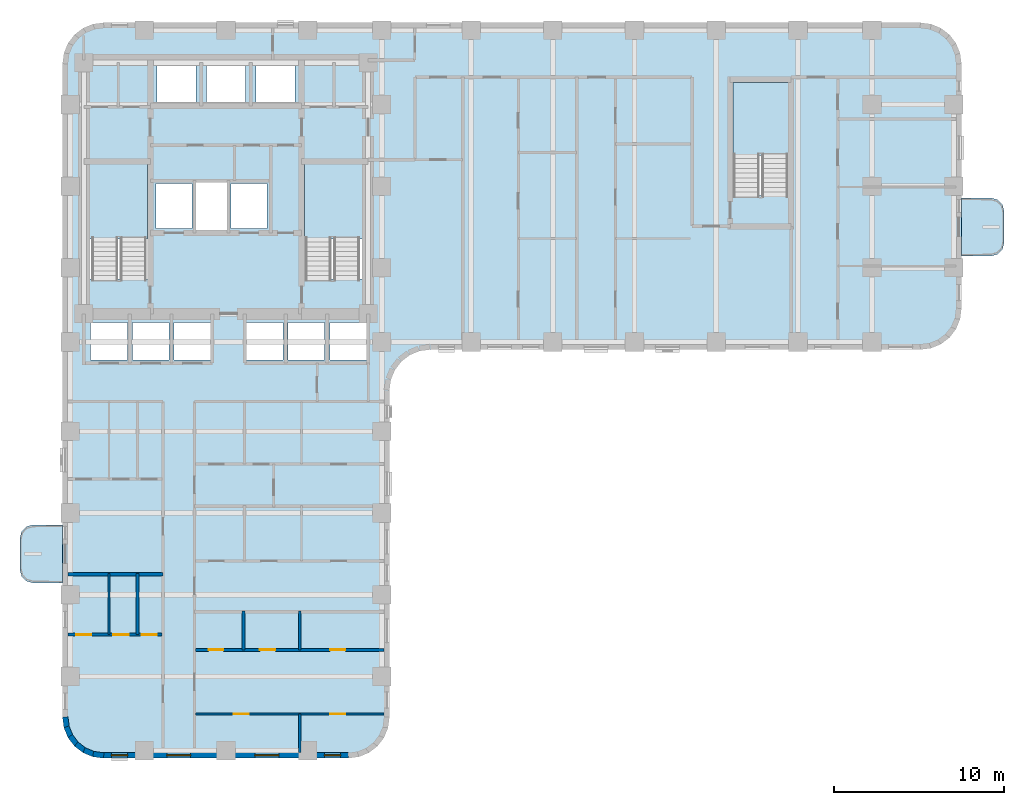
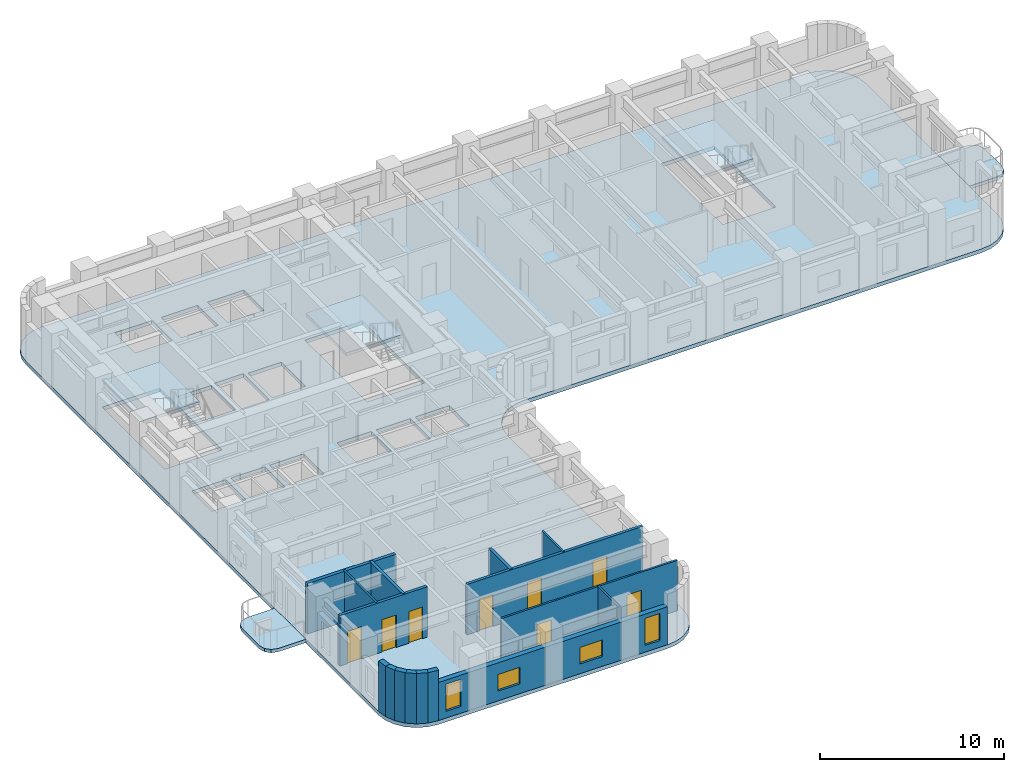
# One storey, part 2 of 11: 16 walls, 8 doors, 6 slabs, 4 windows, 12 openings, 3 elements without a shape of their own.
"""IFC4 building model written with IfcOpenShell, lengths in metres."""

from ifc_helpers import new_model, si_unit, direction, frame, frame_2d, origin, place, context, subcontext, project, spatial, polyline, rectangle, outline, extrude, material, layer, layer_set, type_object, element, fill, aggregate, save


model = new_model("IFC4")

# Units and contexts
model_context = context("Model", 3, precision=1e-05, world=origin(), true_north=direction((0.0, 1.0)))
body_context = subcontext(model_context, "Body", "Model", "MODEL_VIEW")
ifc_project = project(units=[si_unit("LENGTHUNIT", "METRE"), si_unit("AREAUNIT", "SQUARE_METRE"), si_unit("VOLUMEUNIT", "CUBIC_METRE"), si_unit("PLANEANGLEUNIT", "RADIAN"), si_unit("MASSUNIT", "GRAM", prefix="KILO")], contexts=[model_context])

# Site, building, storey
site_placement = place(None, origin())
site = spatial("IfcSite", under=ifc_project, at=site_placement, CompositionType="ELEMENT")
building_placement = place(site_placement, origin())
building = spatial("IfcBuilding", under=site, at=building_placement, Name="Orvandelia Arch Residences", CompositionType="ELEMENT")
storey_placement = place(building_placement, frame((0.0, 0.0, 89.800048828125)))
storey = spatial("IfcBuildingStorey", under=building, at=storey_placement, Name="L23", CompositionType="ELEMENT", Elevation=89.800048828125)

# Slabs
ifc_material_1 = material(Name="Precast concrete C40/50", Category="concrete")
ifc_layer_1 = layer(ifc_material_1, 0.219970703125, Name="Precast concrete C40/50", Category="concrete")
ifc_layer_set_1 = layer_set([ifc_layer_1], Name="Precast concrete C40/50")
slab_type_1 = type_object("IfcSlabType", Name="SLB-BAL-220", PredefinedType="USERDEFINED", material=ifc_layer_set_1)
slab_1_placement = place(storey_placement, frame((0.0, 0.0, -0.219970703125)))
element("IfcSlab", 1, at=slab_1_placement, inside=storey, type_object=slab_type_1, Name="Tree Balcony Cantilever Slab BAL-L23-W1", ObjectType="BALCONY", PredefinedType="USERDEFINED", context=body_context, shape_type="SweptSolid", body=[
    extrude(outline(polyline([(4.800048828125, 15.10009765625), (4.800048828125, 18.5), (3.050048828125, 18.5), (2.675048828125, 18.3994140625), (2.400390625, 18.125), (2.300048828125, 17.75), (2.300048828125, 15.85009765625), (2.400390625, 15.47509765625), (2.675048828125, 15.200439453125), (3.050048828125, 15.10009765625), (4.800048828125, 15.10009765625)])), origin(), (0.0, 0.0, 1.0), 0.219970703125),
])
slab_2_placement = place(storey_placement, frame((0.0, 0.0, -0.219970703125)))
element("IfcSlab", 2, at=slab_2_placement, inside=storey, type_object=slab_type_1, Name="Tree Balcony Cantilever Slab BAL-L23-E1", ObjectType="BALCONY", PredefinedType="USERDEFINED", context=body_context, shape_type="SweptSolid", body=[
    extrude(outline(polyline([(57.60009765625, 37.699951171875), (57.60009765625, 34.300048828125), (59.35009765625, 34.300048828125), (59.72509765625, 34.400390625), (59.99951171875, 34.675048828125), (60.10009765625, 35.050048828125), (60.10009765625, 36.949951171875), (59.99951171875, 37.324951171875), (59.72509765625, 37.599609375), (59.35009765625, 37.699951171875), (57.60009765625, 37.699951171875)])), origin(), (0.0, 0.0, 1.0), 0.219970703125),
])

# Stair, slab
ifc_material_2 = material(Name="Concrete C40/50", Category="concrete")
stair_type = type_object("IfcStairType", Name="STAIR-RC-DOGLEG", PredefinedType="HALF_TURN_STAIR", material=ifc_material_2)
stair_1_placement = place(storey_placement, origin())
stair_1 = element("IfcStair", 3, at=stair_1_placement, inside=storey, type_object=stair_type, Name="L23 Protected Exit Stair ST-1", PredefinedType="HALF_TURN_STAIR")
ifc_layer_2 = layer(ifc_material_2, 0.219970703125, Name="Concrete C40/50", Category="concrete")
ifc_layer_set_2 = layer_set([ifc_layer_2], Name="Concrete C40/50")
slab_type_2 = type_object("IfcSlabType", Name="SLB-LANDING-220", PredefinedType="LANDING", material=ifc_layer_set_2)
slab_3_placement = place(storey_placement, frame((0.0, 0.0, 1.599853515625)))
slab_3 = element("IfcSlab", 4, at=slab_3_placement, type_object=slab_type_2, Name="ST-1 landing 1", PredefinedType="LANDING", context=body_context, shape_type="SweptSolid", body=[
    extrude(outline(polyline([(9.800048828125, 35.31005859375), (9.800048828125, 39.68994140625), (6.260009765625, 39.68994140625), (6.260009765625, 35.31005859375), (9.800048828125, 35.31005859375)])), origin(), (0.0, 0.0, 1.0), 0.2001953125),
])
aggregate(stair_1, [slab_3])

stair_2_placement = place(storey_placement, origin())
stair_2 = element("IfcStair", 5, at=stair_2_placement, inside=storey, type_object=stair_type, Name="L23 Protected Exit Stair ST-2", PredefinedType="HALF_TURN_STAIR")
slab_4_placement = place(storey_placement, frame((0.0, 0.0, 1.599853515625)))
slab_4 = element("IfcSlab", 6, at=slab_4_placement, type_object=slab_type_2, Name="ST-2 landing 1", PredefinedType="LANDING", context=body_context, shape_type="SweptSolid", body=[
    extrude(outline(polyline([(22.5400390625, 35.31005859375), (22.5400390625, 39.68994140625), (19.0, 39.68994140625), (19.0, 35.31005859375), (22.5400390625, 35.31005859375)])), origin(), (0.0, 0.0, 1.0), 0.2001953125),
])
aggregate(stair_2, [slab_4])

stair_3_placement = place(storey_placement, origin())
stair_3 = element("IfcStair", 7, at=stair_3_placement, inside=storey, type_object=stair_type, Name="L23 East Wing Exit Stair ST-3", PredefinedType="HALF_TURN_STAIR")
slab_5_placement = place(storey_placement, frame((0.0, 0.0, 1.599853515625)))
slab_5 = element("IfcSlab", 8, at=slab_5_placement, type_object=slab_type_2, Name="ST-3 landing 1", PredefinedType="LANDING", context=body_context, shape_type="SweptSolid", body=[
    extrude(outline(polyline([(47.43994140625, 40.2099609375), (47.43994140625, 44.5), (44.179931640625, 44.5), (44.179931640625, 40.2099609375), (47.43994140625, 40.2099609375)])), origin(), (0.0, 0.0, 1.0), 0.2001953125),
])
aggregate(stair_3, [slab_5])

# Slab
ifc_layer_3 = layer(ifc_material_2, 0.25, Name="Concrete C40/50", Category="concrete")
ifc_layer_set_3 = layer_set([ifc_layer_3], Name="Concrete C40/50")
slab_type_3 = type_object("IfcSlabType", Name="SLB-TWR-250", PredefinedType="FLOOR", material=ifc_layer_set_3)
slab_6_placement = place(storey_placement, frame((0.0, 0.0, -0.25)))
element("IfcSlab", 9, at=slab_6_placement, inside=storey, type_object=slab_type_3, Name="Structural Floor Slab L23-1", PredefinedType="FLOOR", context=body_context, shape_type="SweptSolid", body=[
    extrude(outline(polyline([(4.800048828125, 7.199951171875), (4.8818359375, 6.578857421875), (5.12158203125, 6.0), (5.5029296875, 5.5029296875), (6.0, 5.12158203125), (6.578857421875, 4.8818359375), (7.199951171875, 4.800048828125), (21.60009765625, 4.800048828125), (22.22119140625, 4.8818359375), (22.800048828125, 5.12158203125), (23.297119140625, 5.5029296875), (23.678466796875, 6.0), (23.918212890625, 6.578857421875), (24.0, 7.199951171875), (24.0, 26.39990234375), (24.081787109375, 27.021240234375), (24.321533203125, 27.60009765625), (24.702880859375, 28.09716796875), (25.199951171875, 28.478515625), (25.77880859375, 28.71826171875), (26.39990234375, 28.800048828125), (55.199951171875, 28.800048828125), (55.8212890625, 28.8818359375), (56.39990234375, 29.12158203125), (56.897216796875, 29.5029296875), (57.278564453125, 30.0), (57.518310546875, 30.578857421875), (57.60009765625, 31.199951171875), (57.60009765625, 45.60009765625), (57.518310546875, 46.22119140625), (57.278564453125, 46.800048828125), (56.897216796875, 47.297119140625), (56.39990234375, 47.678466796875), (55.8212890625, 47.918212890625), (55.199951171875, 48.0), (7.199951171875, 48.0), (6.578857421875, 47.918212890625), (6.0, 47.678466796875), (5.5029296875, 47.297119140625), (5.12158203125, 46.800048828125), (4.8818359375, 46.22119140625), (4.800048828125, 45.60009765625), (4.800048828125, 7.199951171875)]), holes=[polyline([(6.219970703125, 32.949951171875), (9.840087890625, 32.949951171875), (9.840087890625, 39.72998046875), (6.219970703125, 39.72998046875), (6.219970703125, 32.949951171875)]), polyline([(18.9599609375, 32.949951171875), (22.580078125, 32.949951171875), (22.580078125, 39.72998046875), (18.9599609375, 39.72998046875), (18.9599609375, 32.949951171875)]), polyline([(44.139892578125, 37.85009765625), (47.47998046875, 37.85009765625), (47.47998046875, 44.5400390625), (44.139892578125, 44.5400390625), (44.139892578125, 37.85009765625)]), polyline([(12.639892578125, 35.81005859375), (14.4599609375, 35.81005859375), (14.4599609375, 38.639892578125), (12.639892578125, 38.639892578125), (12.639892578125, 35.81005859375)]), polyline([(10.300048828125, 35.89990234375), (12.39990234375, 35.89990234375), (12.39990234375, 38.550048828125), (10.300048828125, 38.550048828125), (10.300048828125, 35.89990234375)]), polyline([(14.699951171875, 35.89990234375), (16.800048828125, 35.89990234375), (16.800048828125, 38.550048828125), (14.699951171875, 38.550048828125), (14.699951171875, 35.89990234375)]), polyline([(10.35009765625, 43.300048828125), (12.64990234375, 43.300048828125), (12.64990234375, 45.5), (10.35009765625, 45.5), (10.35009765625, 43.300048828125)]), polyline([(13.25, 43.300048828125), (15.550048828125, 43.300048828125), (15.550048828125, 45.5), (13.25, 45.5), (13.25, 43.300048828125)]), polyline([(16.14990234375, 43.300048828125), (18.449951171875, 43.300048828125), (18.449951171875, 45.5), (16.14990234375, 45.5), (16.14990234375, 43.300048828125)]), polyline([(6.449951171875, 28.199951171875), (8.60009765625, 28.199951171875), (8.60009765625, 30.39990234375), (6.449951171875, 30.39990234375), (6.449951171875, 28.199951171875)]), polyline([(8.89990234375, 28.199951171875), (11.050048828125, 28.199951171875), (11.050048828125, 30.39990234375), (8.89990234375, 30.39990234375), (8.89990234375, 28.199951171875)]), polyline([(11.35009765625, 28.199951171875), (13.5, 28.199951171875), (13.5, 30.39990234375), (11.35009765625, 30.39990234375), (11.35009765625, 28.199951171875)]), polyline([(15.60009765625, 28.199951171875), (17.75, 28.199951171875), (17.75, 30.39990234375), (15.60009765625, 30.39990234375), (15.60009765625, 28.199951171875)]), polyline([(18.050048828125, 28.199951171875), (20.199951171875, 28.199951171875), (20.199951171875, 30.39990234375), (18.050048828125, 30.39990234375), (18.050048828125, 28.199951171875)]), polyline([(20.5, 28.199951171875), (22.64990234375, 28.199951171875), (22.64990234375, 30.39990234375), (20.5, 30.39990234375), (20.5, 28.199951171875)])]), origin(), (0.0, 0.0, 1.0), 0.25),
])

# Wall
ifc_layer_4 = layer(ifc_material_2, 0.199951171875, Name="Concrete C40/50", Category="concrete")
ifc_layer_set_4 = layer_set([ifc_layer_4], Name="Concrete C40/50")
wall_type_1 = type_object("IfcWallType", Name="WL-DEM-200", PredefinedType="SOLIDWALL", material=ifc_layer_set_4)
wall_1_placement = place(storey_placement, frame((5.1201171875, 15.60009765625, 0.0), z_axis=(0.0, 0.0, 1.0), x_axis=(1.0, 0.0, 0.0)))
element("IfcWall", 10, at=wall_1_placement, inside=storey, type_object=wall_type_1, Name="Interior Partition Wall WL-L23-DEM-WL-156", PredefinedType="SOLIDWALL", context=body_context, shape_type="SweptSolid", body=[
    extrude(rectangle(XDim=5.579833984375, YDim=0.199951171875, at=frame_2d((2.7900390625, 0.0))), origin(), (0.0, 0.0, 1.0), 3.349853515625),
])

# Wall, openings, windows
ifc_layer_5 = layer(ifc_material_1, 0.320068359375, Name="Precast concrete C40/50", Category="concrete")
ifc_layer_set_5 = layer_set([ifc_layer_5], Name="Precast concrete C40/50")
wall_type_2 = type_object("IfcWallType", Name="WL-EXT-STONE-320", PredefinedType="STANDARD", material=ifc_layer_set_5)
wall_2_placement = place(storey_placement, frame((21.60009765625, 4.9599609375, 0.0), z_axis=(0.0, 0.0, 1.0), x_axis=(-1.0, 0.0, 0.0)))
wall_2 = element("IfcWall", 11, at=wall_2_placement, inside=storey, type_object=wall_type_2, Name="Coral-Limestone Precast Facade Wall L23-035", PredefinedType="STANDARD", context=body_context, shape_type="SweptSolid", body=[
    extrude(rectangle(XDim=14.400146484375, YDim=0.320068359375, at=frame_2d((7.2001953125, 0.0))), origin(), (0.0, 0.0, 1.0), 2.530029296875),
])
opening_1_placement = place(wall_2_placement, frame((0.469970703125, 0.0, 0.449951171875)))
opening_1 = element("IfcOpeningElement", 12, at=opening_1_placement, cuts=wall_2, Name="Opening W4", PredefinedType="OPENING", context=body_context, shape_type="SweptSolid", body=[
    extrude(rectangle(XDim=0.949951171875, YDim=1.800048828125, at=frame_2d((0.47509765625, 0.89990234375))), frame((0.0, 0.169921875, 0.0), z_axis=(0.0, -1.0, 0.0), x_axis=(1.0, 0.0, 0.0)), (0.0, 0.0, 1.0), 0.340087890625),
])
opening_2_placement = place(wall_2_placement, frame((9.27490234375, 0.0, 0.64990234375)))
opening_2 = element("IfcOpeningElement", 13, at=opening_2_placement, cuts=wall_2, Name="Opening W10", PredefinedType="OPENING", context=body_context, shape_type="SweptSolid", body=[
    extrude(rectangle(XDim=1.39990234375, YDim=1.10009765625, at=frame_2d((0.699951171875, 0.550048828125))), frame((0.0, 0.169921875, 0.0), z_axis=(0.0, -1.0, 0.0), x_axis=(1.0, 0.0, 0.0)), (0.0, 0.0, 1.0), 0.340087890625),
])
opening_3_placement = place(wall_2_placement, frame((12.97998046875, 0.0, 0.449951171875)))
opening_3 = element("IfcOpeningElement", 14, at=opening_3_placement, cuts=wall_2, Name="Opening W4", PredefinedType="OPENING", context=body_context, shape_type="SweptSolid", body=[
    extrude(rectangle(XDim=0.949951171875, YDim=1.800048828125, at=frame_2d((0.47509765625, 0.89990234375))), frame((0.0, 0.169921875, 0.0), z_axis=(0.0, -1.0, 0.0), x_axis=(1.0, 0.0, 0.0)), (0.0, 0.0, 1.0), 0.340087890625),
])
opening_4_placement = place(wall_2_placement, frame((4.10009765625, 0.0, 0.64990234375)))
opening_4 = element("IfcOpeningElement", 15, at=opening_4_placement, cuts=wall_2, Name="Opening W10", PredefinedType="OPENING", context=body_context, shape_type="SweptSolid", body=[
    extrude(rectangle(XDim=1.39990234375, YDim=1.10009765625, at=frame_2d((0.699951171875, 0.550048828125))), frame((0.0, 0.169921875, 0.0), z_axis=(0.0, -1.0, 0.0), x_axis=(1.0, 0.0, 0.0)), (0.0, 0.0, 1.0), 0.340087890625),
])
ifc_material_3 = material(Name="Tempered Low-E Insulated Glazing", Category="glass")
window_type_1 = type_object("IfcWindowType", Name="WIN-CLR-1400x1100", PartitioningType="SINGLE_PANEL", PredefinedType="WINDOW", material=ifc_material_3)
window_1_placement = place(opening_2_placement, origin())
window_1 = element("IfcWindow", 16, at=window_1_placement, inside=storey, type_object=window_type_1, Name="Recessed Punched Window L23-023", OverallHeight=1.10009765625, OverallWidth=1.39990234375, PartitioningType="SINGLE_PANEL", PredefinedType="WINDOW", context=body_context, shape_type="SweptSolid", body=[
    extrude(rectangle(XDim=1.39990234375, YDim=1.10009765625, at=frame_2d((0.699951171875, 0.550048828125))), frame((0.0, 0.030029296875, 0.0), z_axis=(0.0, -1.0, 0.0), x_axis=(1.0, 0.0, 0.0)), (0.0, 0.0, 1.0), 0.06005859375),
])
fill(opening_2, window_1)
window_2_placement = place(opening_4_placement, origin())
window_2 = element("IfcWindow", 17, at=window_2_placement, inside=storey, type_object=window_type_1, Name="Recessed Punched Window L23-025", OverallHeight=1.10009765625, OverallWidth=1.39990234375, PartitioningType="SINGLE_PANEL", PredefinedType="WINDOW", context=body_context, shape_type="SweptSolid", body=[
    extrude(rectangle(XDim=1.39990234375, YDim=1.10009765625, at=frame_2d((0.699951171875, 0.550048828125))), frame((0.0, 0.030029296875, 0.0), z_axis=(0.0, -1.0, 0.0), x_axis=(1.0, 0.0, 0.0)), (0.0, 0.0, 1.0), 0.06005859375),
])
fill(opening_4, window_2)
window_type_2 = type_object("IfcWindowType", Name="WIN-RES-0950x1800", PartitioningType="SINGLE_PANEL", PredefinedType="WINDOW", material=ifc_material_3)
window_3_placement = place(opening_1_placement, origin())
window_3 = element("IfcWindow", 18, at=window_3_placement, inside=storey, type_object=window_type_2, Name="Recessed Punched Window L23-022", OverallHeight=1.800048828125, OverallWidth=0.949951171875, PartitioningType="SINGLE_PANEL", PredefinedType="WINDOW", context=body_context, shape_type="SweptSolid", body=[
    extrude(rectangle(XDim=0.949951171875, YDim=1.800048828125, at=frame_2d((0.47509765625, 0.89990234375))), frame((0.0, 0.030029296875, 0.0), z_axis=(0.0, -1.0, 0.0), x_axis=(1.0, 0.0, 0.0)), (0.0, 0.0, 1.0), 0.06005859375),
])
fill(opening_1, window_3)
window_4_placement = place(opening_3_placement, origin())
window_4 = element("IfcWindow", 19, at=window_4_placement, inside=storey, type_object=window_type_2, Name="Recessed Punched Window L23-024", OverallHeight=1.800048828125, OverallWidth=0.949951171875, PartitioningType="SINGLE_PANEL", PredefinedType="WINDOW", context=body_context, shape_type="SweptSolid", body=[
    extrude(rectangle(XDim=0.949951171875, YDim=1.800048828125, at=frame_2d((0.47509765625, 0.89990234375))), frame((0.0, 0.030029296875, 0.0), z_axis=(0.0, -1.0, 0.0), x_axis=(1.0, 0.0, 0.0)), (0.0, 0.0, 1.0), 0.06005859375),
])
fill(opening_3, window_4)

# Walls
wall_3_placement = place(storey_placement, frame((7.220947265625, 4.95849609375, 0.0), z_axis=(0.0, 0.0, 1.0), x_axis=(-0.991447664465, 0.130504898859, 0.0)))
element("IfcWall", 20, at=wall_3_placement, inside=storey, type_object=wall_type_2, Name="Coral-Limestone Precast Facade Wall L23-036", PredefinedType="STANDARD", context=body_context, shape_type="SweptSolid", body=[
    extrude(rectangle(XDim=0.626708984375, YDim=0.320068359375, at=frame_2d((0.3134765625, 0.0))), origin(), (0.0, 0.0, 1.0), 3.349853515625),
])
wall_4_placement = place(storey_placement, frame((6.639892578125, 5.029541015625, 0.0), z_axis=(0.0, 0.0, 1.0), x_axis=(-0.923836271867, 0.382787856107, 0.0)))
element("IfcWall", 21, at=wall_4_placement, inside=storey, type_object=wall_type_2, Name="Coral-Limestone Precast Facade Wall L23-037", PredefinedType="STANDARD", context=body_context, shape_type="SweptSolid", body=[
    extrude(rectangle(XDim=0.626220703125, YDim=0.320068359375, at=frame_2d((0.31298828125, 0.0))), origin(), (0.0, 0.0, 1.0), 3.349853515625),
])
for number, where, z_axis, x_axis, name in (
    (22, (6.097412109375, 5.248291015625, 0.0), (0.0, 0.0, 1.0), (-0.7932174212, 0.608938521285, 0.0), "Coral-Limestone Precast Facade Wall L23-038"),
    (23, (5.6298828125, 5.600341796875, 0.0), (0.0, 0.0, 1.0), (-0.608938521285, 0.7932174212, 0.0), "Coral-Limestone Precast Facade Wall L23-039"),
):
    element("IfcWall", number, at=place(storey_placement, frame(where, z_axis=z_axis, x_axis=x_axis)), inside=storey, type_object=wall_type_2, Name=name, PredefinedType="STANDARD", context=body_context, shape_type="SweptSolid", body=[
        extrude(rectangle(XDim=0.626708984375, YDim=0.320068359375, at=frame_2d((0.3134765625, 0.0))), origin(), (0.0, 0.0, 1.0), 3.349853515625),
    ])
wall_5_placement = place(storey_placement, frame((5.269287109375, 6.061279296875, 0.0), z_axis=(0.0, 0.0, 1.0), x_axis=(-0.382787856107, 0.923836271867, 0.0)))
element("IfcWall", 24, at=wall_5_placement, inside=storey, type_object=wall_type_2, Name="Coral-Limestone Precast Facade Wall L23-040", PredefinedType="STANDARD", context=body_context, shape_type="SweptSolid", body=[
    extrude(rectangle(XDim=0.626220703125, YDim=0.320068359375, at=frame_2d((0.31298828125, 0.0))), origin(), (0.0, 0.0, 1.0), 3.349853515625),
])
wall_6_placement = place(storey_placement, frame((5.040283203125, 6.599609375, 0.0), z_axis=(0.0, 0.0, 1.0), x_axis=(-0.130504898859, 0.991447664465, 0.0)))
element("IfcWall", 25, at=wall_6_placement, inside=storey, type_object=wall_type_2, Name="Coral-Limestone Precast Facade Wall L23-041", PredefinedType="STANDARD", context=body_context, shape_type="SweptSolid", body=[
    extrude(rectangle(XDim=0.626708984375, YDim=0.320068359375, at=frame_2d((0.3134765625, 0.0))), origin(), (0.0, 0.0, 1.0), 3.349853515625),
])
ifc_material_4 = material(Name="Lightweight Gypsum Stud Partition")
ifc_layer_6 = layer(ifc_material_4, 0.1201171875, Name="Lightweight Gypsum Stud Partition")
ifc_layer_set_6 = layer_set([ifc_layer_6], Name="Lightweight Gypsum Stud Partition")
wall_type_3 = type_object("IfcWallType", Name="WL-PART-120", PredefinedType="PARTITIONING", material=ifc_layer_set_6)
wall_7_placement = place(storey_placement, frame((7.514892578125, 12.06005859375, 0.0), z_axis=(0.0, 0.0, 1.0), x_axis=(0.0, 1.0, 0.0)))
element("IfcWall", 26, at=wall_7_placement, inside=storey, type_object=wall_type_3, Name="Interior Partition Wall WL-L23-U01-V1", PredefinedType="PARTITIONING", context=body_context, shape_type="SweptSolid", body=[
    extrude(rectangle(XDim=3.579833984375, YDim=0.1201171875, at=frame_2d((1.7900390625, 0.0))), origin(), (0.0, 0.0, 1.0), 3.349853515625),
])

# Wall, openings, doors
wall_8_placement = place(storey_placement, frame((12.610107421875, 7.39794921875, 0.0), z_axis=(0.0, 0.0, 1.0), x_axis=(1.0, 0.0, 0.0)))
wall_8 = element("IfcWall", 27, at=wall_8_placement, inside=storey, type_object=wall_type_3, Name="Interior Partition Wall WL-L23-U03-HB", PredefinedType="PARTITIONING", context=body_context, shape_type="SweptSolid", body=[
    extrude(rectangle(XDim=11.06982421875, YDim=0.1201171875, at=frame_2d((5.534912109375, 0.0))), origin(), (0.0, 0.0, 1.0), 3.349853515625),
])
opening_5_placement = place(wall_8_placement, frame((2.2373046875, 0.0, 0.0)))
opening_5 = element("IfcOpeningElement", 28, at=opening_5_placement, cuts=wall_8, Name="Opening D3", PredefinedType="OPENING", context=body_context, shape_type="SweptSolid", body=[
    extrude(rectangle(XDim=0.89990234375, YDim=2.14990234375, at=frame_2d((0.449951171875, 1.074951171875))), frame((0.0, 0.070068359375, 0.0), z_axis=(0.0, -1.0, 0.0), x_axis=(1.0, 0.0, 0.0)), (0.0, 0.0, 1.0), 0.14013671875),
])
opening_6_placement = place(wall_8_placement, frame((7.903076171875, 0.0, 0.0)))
opening_6 = element("IfcOpeningElement", 29, at=opening_6_placement, cuts=wall_8, Name="Opening D3", PredefinedType="OPENING", context=body_context, shape_type="SweptSolid", body=[
    extrude(rectangle(XDim=0.89990234375, YDim=2.14990234375, at=frame_2d((0.449951171875, 1.074951171875))), frame((0.0, 0.070068359375, 0.0), z_axis=(0.0, -1.0, 0.0), x_axis=(1.0, 0.0, 0.0)), (0.0, 0.0, 1.0), 0.14013671875),
])
ifc_material_5 = material(Name="Engineered Timber Flush Door", Category="wood")
door_type_1 = type_object("IfcDoorType", Name="DR-INT-900", OperationType="NOTDEFINED", PredefinedType="DOOR", material=ifc_material_5)
door_1_placement = place(opening_5_placement, origin())
door_1 = element("IfcDoor", 30, at=door_1_placement, inside=storey, type_object=door_type_1, Name="DR-L23-U03-STDY", OperationType="SINGLE_SWING_LEFT", OverallHeight=2.14990234375, OverallWidth=0.89990234375, PredefinedType="DOOR", context=body_context, shape_type="SweptSolid", body=[
    extrude(rectangle(XDim=0.89990234375, YDim=2.14990234375, at=frame_2d((0.449951171875, 1.074951171875))), frame((0.0, 0.02490234375, 0.0), z_axis=(0.0, -1.0, 0.0), x_axis=(1.0, 0.0, 0.0)), (0.0, 0.0, 1.0), 0.050048828125),
])
fill(opening_5, door_1)
door_2_placement = place(opening_6_placement, origin())
door_2 = element("IfcDoor", 31, at=door_2_placement, inside=storey, type_object=door_type_1, Name="DR-L23-U03-BD2", OperationType="SINGLE_SWING_RIGHT", OverallHeight=2.14990234375, OverallWidth=0.89990234375, PredefinedType="DOOR", context=body_context, shape_type="SweptSolid", body=[
    extrude(rectangle(XDim=0.89990234375, YDim=2.14990234375, at=frame_2d((0.449951171875, 1.074951171875))), frame((0.0, 0.02490234375, 0.0), z_axis=(0.0, -1.0, 0.0), x_axis=(1.0, 0.0, 0.0)), (0.0, 0.0, 1.0), 0.050048828125),
])
fill(opening_6, door_2)

# Walls
wall_9_placement = place(storey_placement, frame((18.73193359375, 5.1201171875, 0.0), z_axis=(0.0, 0.0, 1.0), x_axis=(0.0, 1.0, 0.0)))
element("IfcWall", 32, at=wall_9_placement, inside=storey, type_object=wall_type_3, Name="Interior Partition Wall WL-L23-U03-VB", PredefinedType="PARTITIONING", context=body_context, shape_type="SweptSolid", body=[
    extrude(rectangle(XDim=2.27783203125, YDim=0.1201171875, at=frame_2d((1.138916015625, 0.0))), origin(), (0.0, 0.0, 1.0), 3.349853515625),
])
wall_10_placement = place(storey_placement, frame((18.73193359375, 11.159912109375, 0.0), z_axis=(0.0, 0.0, 1.0), x_axis=(0.0, 1.0, 0.0)))
element("IfcWall", 33, at=wall_10_placement, inside=storey, type_object=wall_type_3, Name="Interior Partition Wall WL-L23-U03-V2", PredefinedType="PARTITIONING", context=body_context, shape_type="SweptSolid", body=[
    extrude(rectangle(XDim=2.280029296875, YDim=0.1201171875, at=frame_2d((1.14013671875, 0.0))), origin(), (0.0, 0.0, 1.0), 3.349853515625),
])

# Wall, openings, doors
ifc_material_6 = material(Name="Moisture-Resistant Plumbing Wall")
ifc_layer_7 = layer(ifc_material_6, 0.179931640625, Name="Moisture-Resistant Plumbing Wall")
ifc_layer_set_7 = layer_set([ifc_layer_7], Name="Moisture-Resistant Plumbing Wall")
wall_type_4 = type_object("IfcWallType", Name="WL-WET-180", PredefinedType="PLUMBINGWALL", material=ifc_layer_set_7)
wall_11_placement = place(storey_placement, frame((5.1201171875, 12.06005859375, 0.0), z_axis=(0.0, 0.0, 1.0), x_axis=(1.0, 0.0, 0.0)))
wall_11 = element("IfcWall", 34, at=wall_11_placement, inside=storey, type_object=wall_type_4, Name="Interior Partition Wall WL-L23-U01-HZ", PredefinedType="PLUMBINGWALL", context=body_context, shape_type="SweptSolid", body=[
    extrude(rectangle(XDim=5.519775390625, YDim=0.179931640625, at=frame_2d((2.759765625, 0.0))), origin(), (0.0, 0.0, 1.0), 3.349853515625),
])
opening_7_placement = place(wall_11_placement, frame((0.47216796875, 0.0, 0.0)))
opening_7 = element("IfcOpeningElement", 35, at=opening_7_placement, cuts=wall_11, Name="Opening D3", PredefinedType="OPENING", context=body_context, shape_type="SweptSolid", body=[
    extrude(rectangle(XDim=0.89990234375, YDim=2.14990234375, at=frame_2d((0.449951171875, 1.074951171875))), frame((0.0, 0.10009765625, 0.0), z_axis=(0.0, -1.0, 0.0), x_axis=(1.0, 0.0, 0.0)), (0.0, 0.0, 1.0), 0.199951171875),
])
opening_8_placement = place(wall_11_placement, frame((2.655029296875, 0.0, 0.0)))
opening_8 = element("IfcOpeningElement", 36, at=opening_8_placement, cuts=wall_11, Name="Opening D3", PredefinedType="OPENING", context=body_context, shape_type="SweptSolid", body=[
    extrude(rectangle(XDim=0.89990234375, YDim=2.14990234375, at=frame_2d((0.449951171875, 1.074951171875))), frame((0.0, 0.10009765625, 0.0), z_axis=(0.0, -1.0, 0.0), x_axis=(1.0, 0.0, 0.0)), (0.0, 0.0, 1.0), 0.199951171875),
])
opening_9_placement = place(wall_11_placement, frame((4.342041015625, 0.0, 0.0)))
opening_9 = element("IfcOpeningElement", 37, at=opening_9_placement, cuts=wall_11, Name="Opening D4", PredefinedType="OPENING", context=body_context, shape_type="SweptSolid", body=[
    extrude(rectangle(XDim=0.860107421875, YDim=2.10009765625, at=frame_2d((0.43017578125, 1.050048828125))), frame((0.0, 0.10009765625, 0.0), z_axis=(0.0, -1.0, 0.0), x_axis=(1.0, 0.0, 0.0)), (0.0, 0.0, 1.0), 0.199951171875),
])
door_3_placement = place(opening_7_placement, origin())
door_3 = element("IfcDoor", 38, at=door_3_placement, inside=storey, type_object=door_type_1, Name="DR-L23-U01-BD1", OperationType="SINGLE_SWING_LEFT", OverallHeight=2.14990234375, OverallWidth=0.89990234375, PredefinedType="DOOR", context=body_context, shape_type="SweptSolid", body=[
    extrude(rectangle(XDim=0.89990234375, YDim=2.14990234375, at=frame_2d((0.449951171875, 1.074951171875))), frame((0.0, 0.02490234375, 0.0), z_axis=(0.0, -1.0, 0.0), x_axis=(1.0, 0.0, 0.0)), (0.0, 0.0, 1.0), 0.050048828125),
])
fill(opening_7, door_3)
door_4_placement = place(opening_8_placement, origin())
door_4 = element("IfcDoor", 39, at=door_4_placement, inside=storey, type_object=door_type_1, Name="DR-L23-U01-KIT", OperationType="SINGLE_SWING_RIGHT", OverallHeight=2.14990234375, OverallWidth=0.89990234375, PredefinedType="DOOR", context=body_context, shape_type="SweptSolid", body=[
    extrude(rectangle(XDim=0.89990234375, YDim=2.14990234375, at=frame_2d((0.449951171875, 1.074951171875))), frame((0.0, 0.02490234375, 0.0), z_axis=(0.0, -1.0, 0.0), x_axis=(1.0, 0.0, 0.0)), (0.0, 0.0, 1.0), 0.050048828125),
])
fill(opening_8, door_4)
ifc_material_7 = material(Name="Moisture-Sealed Timber Bathroom Door", Category="wood")
door_type_2 = type_object("IfcDoorType", Name="DR-WET-900", OperationType="NOTDEFINED", PredefinedType="DOOR", material=ifc_material_7)
door_5_placement = place(opening_9_placement, origin())
door_5 = element("IfcDoor", 40, at=door_5_placement, inside=storey, type_object=door_type_2, Name="DR-L23-U01-BTH", OperationType="SINGLE_SWING_LEFT", OverallHeight=2.10009765625, OverallWidth=0.860107421875, PredefinedType="DOOR", context=body_context, shape_type="SweptSolid", body=[
    extrude(rectangle(XDim=0.860107421875, YDim=2.10009765625, at=frame_2d((0.43017578125, 1.050048828125))), frame((0.0, 0.02490234375, 0.0), z_axis=(0.0, -1.0, 0.0), x_axis=(1.0, 0.0, 0.0)), (0.0, 0.0, 1.0), 0.050048828125),
])
fill(opening_9, door_5)

# Wall
wall_12_placement = place(storey_placement, frame((9.201904296875, 12.06005859375, 0.0), z_axis=(0.0, 0.0, 1.0), x_axis=(0.0, 1.0, 0.0)))
element("IfcWall", 41, at=wall_12_placement, inside=storey, type_object=wall_type_4, Name="Interior Partition Wall WL-L23-U01-V2", PredefinedType="PLUMBINGWALL", context=body_context, shape_type="SweptSolid", body=[
    extrude(rectangle(XDim=3.579833984375, YDim=0.179931640625, at=frame_2d((1.7900390625, 0.0))), origin(), (0.0, 0.0, 1.0), 3.349853515625),
])

# Wall, openings, doors
wall_13_placement = place(storey_placement, frame((12.610107421875, 11.159912109375, 0.0), z_axis=(0.0, 0.0, 1.0), x_axis=(1.0, 0.0, 0.0)))
wall_13 = element("IfcWall", 42, at=wall_13_placement, inside=storey, type_object=wall_type_4, Name="Interior Partition Wall WL-L23-U03-HZ", PredefinedType="PLUMBINGWALL", context=body_context, shape_type="SweptSolid", body=[
    extrude(rectangle(XDim=11.06982421875, YDim=0.179931640625, at=frame_2d((5.534912109375, 0.0))), origin(), (0.0, 0.0, 1.0), 3.349853515625),
])
opening_10_placement = place(wall_13_placement, frame((0.772216796875, 0.0, 0.0)))
opening_10 = element("IfcOpeningElement", 43, at=opening_10_placement, cuts=wall_13, Name="Opening D4", PredefinedType="OPENING", context=body_context, shape_type="SweptSolid", body=[
    extrude(rectangle(XDim=0.860107421875, YDim=2.10009765625, at=frame_2d((0.43017578125, 1.050048828125))), frame((0.0, 0.10009765625, 0.0), z_axis=(0.0, -1.0, 0.0), x_axis=(1.0, 0.0, 0.0)), (0.0, 0.0, 1.0), 0.199951171875),
])
opening_11_placement = place(wall_13_placement, frame((3.7861328125, 0.0, 0.0)))
opening_11 = element("IfcOpeningElement", 44, at=opening_11_placement, cuts=wall_13, Name="Opening D3", PredefinedType="OPENING", context=body_context, shape_type="SweptSolid", body=[
    extrude(rectangle(XDim=0.89990234375, YDim=2.14990234375, at=frame_2d((0.449951171875, 1.074951171875))), frame((0.0, 0.10009765625, 0.0), z_axis=(0.0, -1.0, 0.0), x_axis=(1.0, 0.0, 0.0)), (0.0, 0.0, 1.0), 0.199951171875),
])
opening_12_placement = place(wall_13_placement, frame((7.903076171875, 0.0, 0.0)))
opening_12 = element("IfcOpeningElement", 45, at=opening_12_placement, cuts=wall_13, Name="Opening D3", PredefinedType="OPENING", context=body_context, shape_type="SweptSolid", body=[
    extrude(rectangle(XDim=0.89990234375, YDim=2.14990234375, at=frame_2d((0.449951171875, 1.074951171875))), frame((0.0, 0.10009765625, 0.0), z_axis=(0.0, -1.0, 0.0), x_axis=(1.0, 0.0, 0.0)), (0.0, 0.0, 1.0), 0.199951171875),
])
door_6_placement = place(opening_11_placement, origin())
door_6 = element("IfcDoor", 46, at=door_6_placement, inside=storey, type_object=door_type_1, Name="DR-L23-U03-KIT", OperationType="SINGLE_SWING_LEFT", OverallHeight=2.14990234375, OverallWidth=0.89990234375, PredefinedType="DOOR", context=body_context, shape_type="SweptSolid", body=[
    extrude(rectangle(XDim=0.89990234375, YDim=2.14990234375, at=frame_2d((0.449951171875, 1.074951171875))), frame((0.0, 0.02490234375, 0.0), z_axis=(0.0, -1.0, 0.0), x_axis=(1.0, 0.0, 0.0)), (0.0, 0.0, 1.0), 0.050048828125),
])
fill(opening_11, door_6)
door_7_placement = place(opening_12_placement, origin())
door_7 = element("IfcDoor", 47, at=door_7_placement, inside=storey, type_object=door_type_1, Name="DR-L23-U03-BD1", OperationType="SINGLE_SWING_RIGHT", OverallHeight=2.14990234375, OverallWidth=0.89990234375, PredefinedType="DOOR", context=body_context, shape_type="SweptSolid", body=[
    extrude(rectangle(XDim=0.89990234375, YDim=2.14990234375, at=frame_2d((0.449951171875, 1.074951171875))), frame((0.0, 0.02490234375, 0.0), z_axis=(0.0, -1.0, 0.0), x_axis=(1.0, 0.0, 0.0)), (0.0, 0.0, 1.0), 0.050048828125),
])
fill(opening_12, door_7)
door_8_placement = place(opening_10_placement, origin())
door_8 = element("IfcDoor", 48, at=door_8_placement, inside=storey, type_object=door_type_2, Name="DR-L23-U03-BTH", OperationType="SINGLE_SWING_RIGHT", OverallHeight=2.10009765625, OverallWidth=0.860107421875, PredefinedType="DOOR", context=body_context, shape_type="SweptSolid", body=[
    extrude(rectangle(XDim=0.860107421875, YDim=2.10009765625, at=frame_2d((0.43017578125, 1.050048828125))), frame((0.0, 0.02490234375, 0.0), z_axis=(0.0, -1.0, 0.0), x_axis=(1.0, 0.0, 0.0)), (0.0, 0.0, 1.0), 0.050048828125),
])
fill(opening_10, door_8)

# Wall
wall_14_placement = place(storey_placement, frame((15.426025390625, 11.159912109375, 0.0), z_axis=(0.0, 0.0, 1.0), x_axis=(0.0, 1.0, 0.0)))
element("IfcWall", 49, at=wall_14_placement, inside=storey, type_object=wall_type_4, Name="Interior Partition Wall WL-L23-U03-V1", PredefinedType="PLUMBINGWALL", context=body_context, shape_type="SweptSolid", body=[
    extrude(rectangle(XDim=2.280029296875, YDim=0.179931640625, at=frame_2d((1.14013671875, 0.0))), origin(), (0.0, 0.0, 1.0), 3.349853515625),
])

save(model, "model.ifc")
